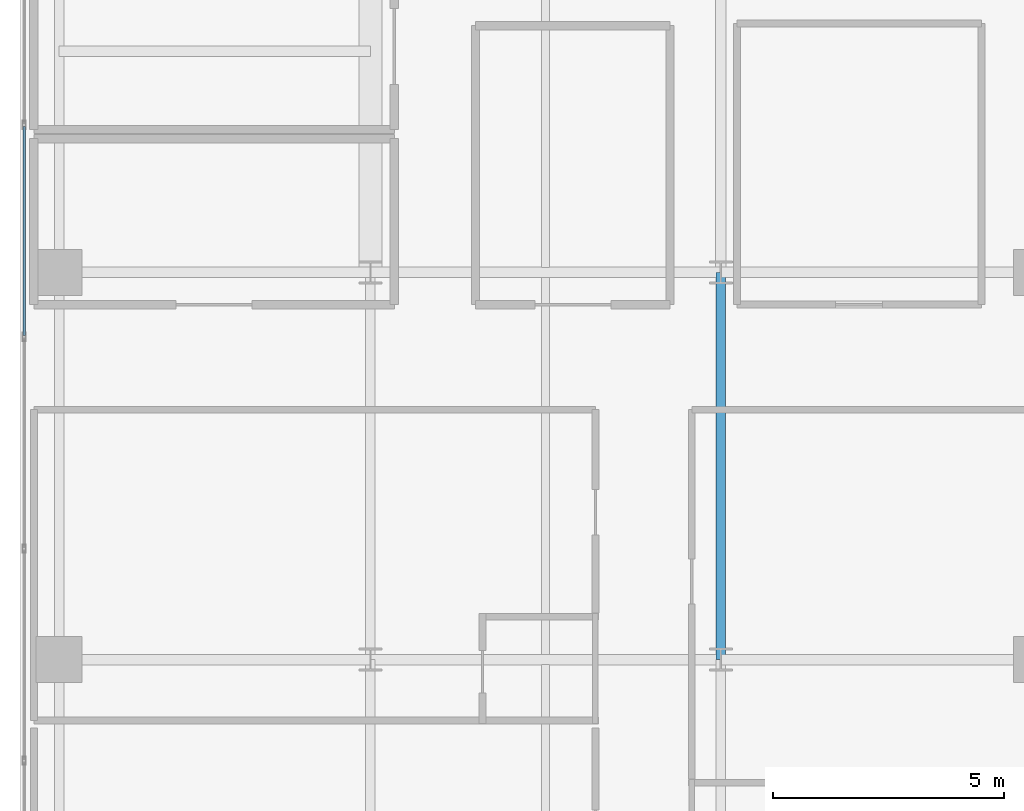
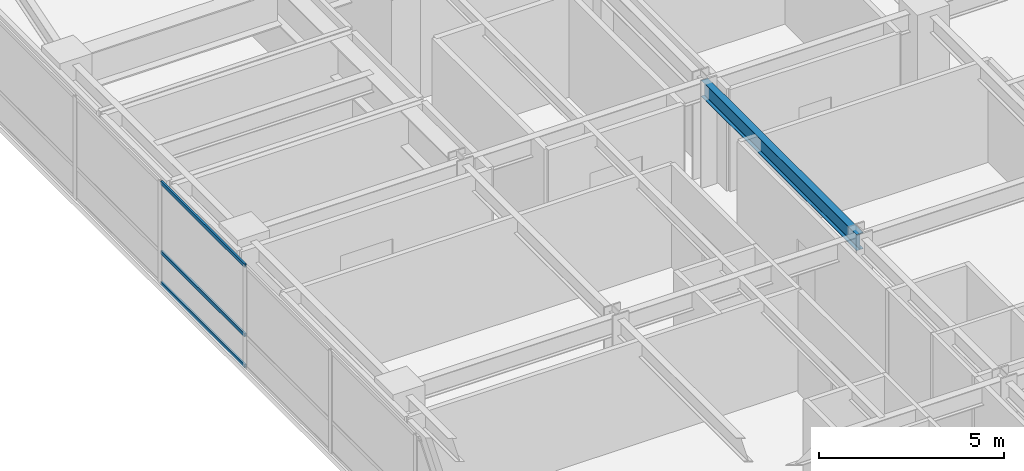
# One storey, part 10 of 30: 3 members, 1 beam, 1 element without a shape of its own.
"""IFC4 building model written with IfcOpenShell, lengths in metres."""

from ifc_helpers import new_model, si_unit, direction, frame, origin, origin_2d, place, context, subcontext, project, spatial, hollow_rectangle, i_section, extrude, source, transform, mapped, material, layer, layer_set, material_profile, profile_set, type_object, type_shapes, element, aggregate, save


model = new_model("IFC4")

# Units and contexts
model_context = context("Model", 3, precision=1e-05, world=origin(), true_north=direction((0.0, 1.0)))
body_context = subcontext(model_context, "Body", "Model", "MODEL_VIEW")
ifc_project = project(units=[si_unit("LENGTHUNIT", "METRE"), si_unit("AREAUNIT", "SQUARE_METRE"), si_unit("VOLUMEUNIT", "CUBIC_METRE"), si_unit("PLANEANGLEUNIT", "RADIAN"), si_unit("MASSUNIT", "GRAM", prefix="KILO")], contexts=[model_context])

# Site, building, storey
site_placement = place(None, origin())
site = spatial("IfcSite", under=ifc_project, at=site_placement, CompositionType="ELEMENT")
building_placement = place(site_placement, origin())
building = spatial("IfcBuilding", under=site, at=building_placement, Name="Tolvann Quenvar Hotel", CompositionType="ELEMENT")
storey_placement = place(building_placement, frame((0.0, 0.0, 56.85009765625)))
storey = spatial("IfcBuildingStorey", under=building, at=storey_placement, Name="L13", CompositionType="ELEMENT", Elevation=56.85009765625)

# Beam
ifc_material_1 = material(Name="Steel Grade 350", Category="steel")
ifc_material_profile_1 = material_profile(ifc_material_1, i_section(OverallWidth=0.208984375, OverallDepth=0.532958984375, WebThickness=0.01025390625, FlangeThickness=0.015625, FilletRadius=0.013916015625, at=origin_2d()), Name="530UB92")
ifc_profile_set_1 = profile_set([ifc_material_profile_1], Name="Steel Grade 350")
beam_type = type_object("IfcBeamType", Name="BM_GIRD_530UB92", PredefinedType="BEAM", material=ifc_profile_set_1)
shared_shape_1 = source(origin(), body_context, "Body", "SweptSolid", [
    extrude(i_section(OverallWidth=0.208984375, OverallDepth=0.532958984375, WebThickness=0.01025390625, FlangeThickness=0.015625, FilletRadius=0.013916015625, at=origin_2d()), origin(), (0.0, 0.0, 1.0), 8.39990234375),
])
type_shapes(beam_type, [shared_shape_1])
beam_placement = place(storey_placement, frame((15.199951171875, 16.0, 3.103515625), z_axis=(0.0, 1.0, 0.0), x_axis=(-1.0, 0.0, 0.0)))
element("IfcBeam", 1, at=beam_placement, inside=storey, type_object=beam_type, Name="BM-L13-NS-D4-D5", PredefinedType="BEAM", context=body_context, shape_type="MappedRepresentation", body=[
    mapped(shared_shape_1, transform((0.0, 0.0, 0.0), x_axis=(1.0, 0.0, 0.0), y_axis=(0.0, 1.0, 0.0), z_axis=(0.0, 0.0, 1.0), scale=1.0)),
])

# Curtain wall, members
ifc_material_2 = material(Name="Thermally broken anodised architectural aluminium 6063-T6 and laminated low-E glass", Category="aluminium")
ifc_layer = layer(ifc_material_2, 0.179931640625)
ifc_layer_set = layer_set([ifc_layer], Name="Thermally broken anodised architectural aluminium 6063-T6 and laminated low-E glass")
curtain_wall_type = type_object("IfcCurtainWallType", Name="CW_SYS_BAND_04", PredefinedType="USERDEFINED", material=ifc_layer_set)
curtain_wall_placement = place(storey_placement, origin())
curtain_wall = element("IfcCurtainWall", 2, at=curtain_wall_placement, inside=storey, type_object=curtain_wall_type, Name="Curtain Wall CW-BAND-04 (CWR-L13-E23)", ObjectType="UNITISED CURTAIN WALL", PredefinedType="USERDEFINED")
ifc_material_3 = material(Name="Anodised architectural aluminium 6063-T6 framing", Category="aluminium")
ifc_material_profile_2 = material_profile(ifc_material_3, hollow_rectangle(XDim=0.06005859375, YDim=0.1201171875, WallThickness=0.00341796875, at=origin_2d()), Name="120x60x3.5RHS")
ifc_profile_set_2 = profile_set([ifc_material_profile_2], Name="Anodised architectural aluminium 6063-T6 framing")
member_type = type_object("IfcMemberType", Name="CW_TRAN_120x60", PredefinedType="USERDEFINED", material=ifc_profile_set_2)
shared_shape_2 = source(origin(), body_context, "Body", "SweptSolid", [
    extrude(hollow_rectangle(XDim=0.06005859375, YDim=0.1201171875, WallThickness=0.00341796875, at=origin_2d()), origin(), (0.0, 0.0, 1.0), 4.52587890625),
])
type_shapes(member_type, [shared_shape_2])
member_1_placement = place(storey_placement, frame((0.090087890625, 27.560791015625, 0.02978515625), z_axis=(0.0, -1.0, 0.0), x_axis=(1.0, 0.0, 0.0)))
member_1 = element("IfcMember", 3, at=member_1_placement, type_object=member_type, Name="CW-BAND-04 transom 4.1", ObjectType="TRANSOM", PredefinedType="USERDEFINED", context=body_context, shape_type="MappedRepresentation", body=[
    mapped(shared_shape_2, transform((0.0, 0.0, 0.0), x_axis=(1.0, 0.0, 0.0), y_axis=(0.0, 1.0, 0.0), z_axis=(0.0, 0.0, 1.0), scale=1.0)),
])
member_2_placement = place(storey_placement, frame((0.090087890625, 27.560791015625, 1.0498046875), z_axis=(0.0, -1.0, 0.0), x_axis=(1.0, 0.0, 0.0)))
member_2 = element("IfcMember", 4, at=member_2_placement, type_object=member_type, Name="CW-BAND-04 transom 4.2", ObjectType="TRANSOM", PredefinedType="USERDEFINED", context=body_context, shape_type="MappedRepresentation", body=[
    mapped(shared_shape_2, transform((0.0, 0.0, 0.0), x_axis=(1.0, 0.0, 0.0), y_axis=(0.0, 1.0, 0.0), z_axis=(0.0, 0.0, 1.0), scale=1.0)),
])
member_3_placement = place(storey_placement, frame((0.090087890625, 27.560791015625, 3.33984375), z_axis=(0.0, -1.0, 0.0), x_axis=(1.0, 0.0, 0.0)))
member_3 = element("IfcMember", 5, at=member_3_placement, type_object=member_type, Name="CW-BAND-04 transom 4.3", ObjectType="TRANSOM", PredefinedType="USERDEFINED", context=body_context, shape_type="MappedRepresentation", body=[
    mapped(shared_shape_2, transform((0.0, 0.0, 0.0), x_axis=(1.0, 0.0, 0.0), y_axis=(0.0, 1.0, 0.0), z_axis=(0.0, 0.0, 1.0), scale=1.0)),
])
aggregate(curtain_wall, [member_1, member_2, member_3])

save(model, "model.ifc")
